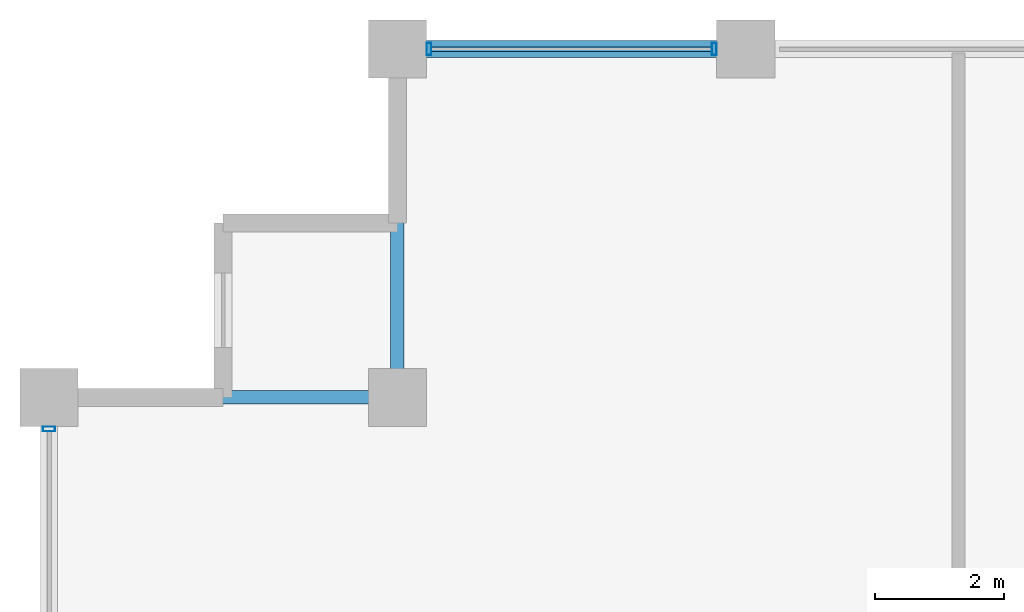
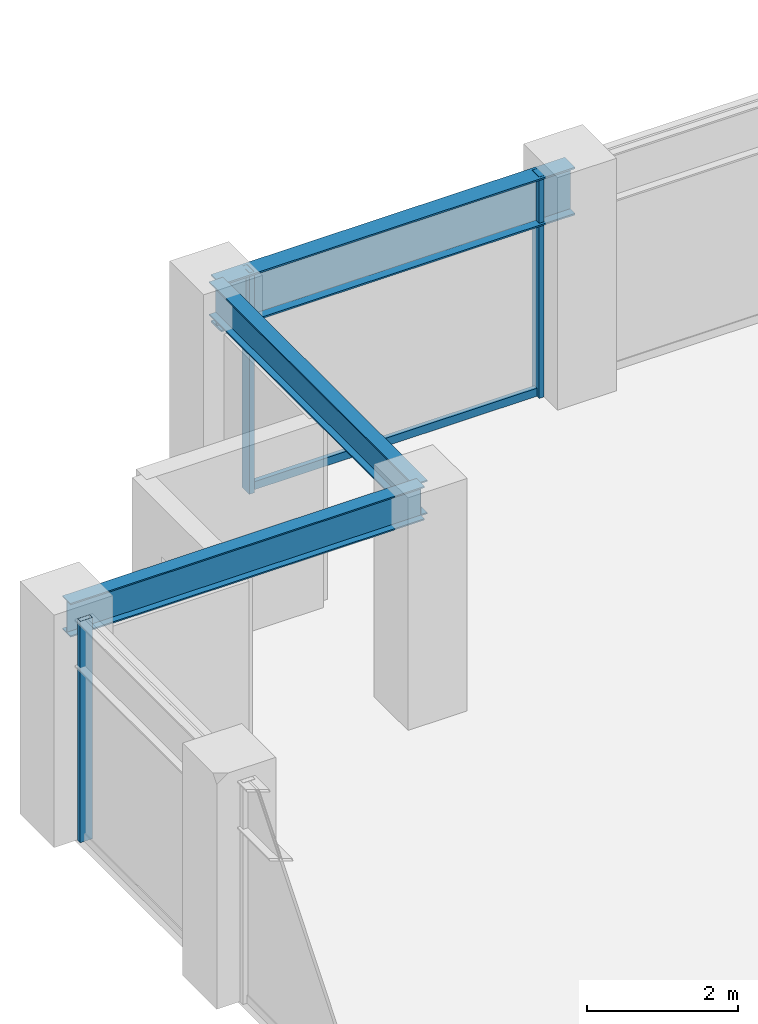
# One storey, part 18 of 32: 4 members, 3 beams, 2 elements without a shape of their own.
"""IFC4 building model written with IfcOpenShell, lengths in metres."""

from ifc_helpers import new_model, si_unit, direction, frame, origin, origin_2d, place, context, subcontext, project, spatial, hollow_rectangle, i_section, extrude, material, layer, layer_set, material_profile, profile_set, type_object, element, aggregate, save


model = new_model("IFC4")

# Units and contexts
model_context = context("Model", 3, precision=1e-05, world=origin(), true_north=direction((0.0, 1.0)))
body_context = subcontext(model_context, "Body", "Model", "MODEL_VIEW")
ifc_project = project(units=[si_unit("LENGTHUNIT", "METRE"), si_unit("AREAUNIT", "SQUARE_METRE"), si_unit("VOLUMEUNIT", "CUBIC_METRE"), si_unit("PLANEANGLEUNIT", "RADIAN"), si_unit("MASSUNIT", "GRAM", prefix="KILO")], contexts=[model_context])

# Site, building, storey
site_placement = place(None, origin())
site = spatial("IfcSite", under=ifc_project, at=site_placement, CompositionType="ELEMENT")
building_placement = place(site_placement, origin())
building = spatial("IfcBuilding", under=site, at=building_placement, Name="Surkhivell Harbour Commons", CompositionType="ELEMENT")
storey_placement = place(building_placement, frame((0.0, 0.0, 197.25)))
storey = spatial("IfcBuildingStorey", under=building, at=storey_placement, Name="L51", CompositionType="ELEMENT", Elevation=197.25)

# Beams
ifc_material_1 = material(Name="Steel S355", Category="steel")
ifc_material_profile_1 = material_profile(ifc_material_1, i_section(OverallWidth=0.2119140625, OverallDepth=0.5439453125, WebThickness=0.0126953125, FlangeThickness=0.021240234375, at=origin_2d()), Name="UB533x210x122")
ifc_profile_set_1 = profile_set([ifc_material_profile_1], Name="Steel S355")
beam_type_1 = type_object("IfcBeamType", Name="BM-GRD-533A", PredefinedType="BEAM", material=ifc_profile_set_1)
for number, where, z_axis, x_axis, name in (
    (1, (-27.0, 20.5, 3.298095703125), (1.0, 0.0, 0.0), (0.0, 1.0, 0.0), "L51 Floor Girder (-27.0,20.5)"),
    (2, (-21.60009765625, 20.5, 3.298095703125), (0.0, 1.0, 0.0), (-1.0, 0.0, 0.0), "L51 Floor Girder (-21.6,20.5)"),
):
    element("IfcBeam", number, at=place(storey_placement, frame(where, z_axis=z_axis, x_axis=x_axis)), inside=storey, type_object=beam_type_1, Name=name, PredefinedType="BEAM", context=body_context, shape_type="SweptSolid", body=[
        extrude(i_section(OverallWidth=0.2119140625, OverallDepth=0.5439453125, WebThickness=0.0126953125, FlangeThickness=0.021240234375, at=origin_2d()), origin(), (0.0, 0.0, 1.0), 5.39990234375),
    ])
ifc_material_profile_2 = material_profile(ifc_material_1, i_section(OverallWidth=0.26806640625, OverallDepth=0.77001953125, WebThickness=0.015625, FlangeThickness=0.025390625, at=origin_2d()), Name="UB762x267x197")
ifc_profile_set_2 = profile_set([ifc_material_profile_2], Name="Steel S355")
beam_type_2 = type_object("IfcBeamType", Name="BM-SPN-762", PredefinedType="SPANDREL", material=ifc_profile_set_2)
beam_placement = place(storey_placement, frame((-21.60009765625, 25.89990234375, 3.18505859375), z_axis=(1.0, 0.0, 0.0), x_axis=(0.0, 1.0, 0.0)))
element("IfcBeam", 3, at=beam_placement, inside=storey, type_object=beam_type_2, Name="L51 Tube Spandrel (-21.6,25.9)", PredefinedType="SPANDREL", context=body_context, shape_type="SweptSolid", body=[
    extrude(i_section(OverallWidth=0.26806640625, OverallDepth=0.77001953125, WebThickness=0.015625, FlangeThickness=0.025390625, at=origin_2d()), origin(), (0.0, 0.0, 1.0), 5.400146484375),
])

# Curtain wall, members
ifc_material_2 = material(Name="Anodised pale-metal aluminium and insulated glazing", Category="aluminium")
ifc_layer = layer(ifc_material_2, 0.18994140625)
ifc_layer_set = layer_set([ifc_layer], Name="Anodised pale-metal aluminium and insulated glazing")
curtain_wall_type = type_object("IfcCurtainWallType", Name="CW-SYS-Z3", PredefinedType="NOTDEFINED", material=ifc_layer_set)
curtain_wall_1_placement = place(storey_placement, origin())
curtain_wall_1 = element("IfcCurtainWall", 4, at=curtain_wall_1_placement, inside=storey, type_object=curtain_wall_type, Name="L51 Curtain Wall CW-L51-E07S2", PredefinedType="NOTDEFINED")
ifc_material_3 = material(Name="Anodised pale-metal aluminium alloy 6063-T6", Category="aluminium")
ifc_material_profile_3 = material_profile(ifc_material_3, hollow_rectangle(XDim=0.074951171875, YDim=0.18994140625, WallThickness=0.00390625, at=origin_2d()), Name="ALU-MULL-75x190")
ifc_profile_set_3 = profile_set([ifc_material_profile_3], Name="Anodised pale-metal aluminium alloy 6063-T6")
member_type_1 = type_object("IfcMemberType", Name="CWM-190", PredefinedType="MULLION", material=ifc_profile_set_3)
member_1_placement = place(storey_placement, frame((-16.689453125, 25.89990234375, 0.0), z_axis=(0.0, 0.0, 1.0), x_axis=(-1.0, 0.0, 0.0)))
member_1 = element("IfcMember", 5, at=member_1_placement, type_object=member_type_1, Name="CW-Z3 mullion 3", PredefinedType="MULLION", context=body_context, shape_type="SweptSolid", body=[
    extrude(hollow_rectangle(XDim=0.074951171875, YDim=0.18994140625, WallThickness=0.00390625, at=origin_2d()), origin(), (0.0, 0.0, 1.0), 3.570068359375),
])
member_2_placement = place(storey_placement, frame((-21.110595703125, 25.89990234375, 0.0), z_axis=(0.0, 0.0, 1.0), x_axis=(-1.0, 0.0, 0.0)))
member_2 = element("IfcMember", 6, at=member_2_placement, type_object=member_type_1, Name="CW-Z3 mullion 4", PredefinedType="MULLION", context=body_context, shape_type="SweptSolid", body=[
    extrude(hollow_rectangle(XDim=0.074951171875, YDim=0.18994140625, WallThickness=0.00390625, at=origin_2d()), origin(), (0.0, 0.0, 1.0), 3.570068359375),
])

# Curtain wall, member
curtain_wall_2_placement = place(storey_placement, origin())
curtain_wall_2 = element("IfcCurtainWall", 7, at=curtain_wall_2_placement, inside=storey, type_object=curtain_wall_type, Name="L51 Curtain Wall CW-L51-E12S1", PredefinedType="NOTDEFINED")
member_3_placement = place(storey_placement, frame((-27.0, 20.010498046875, 0.0), z_axis=(0.0, 0.0, 1.0), x_axis=(0.0, -1.0, 0.0)))
member_3 = element("IfcMember", 8, at=member_3_placement, type_object=member_type_1, Name="CW-Z3 mullion 1", PredefinedType="MULLION", context=body_context, shape_type="SweptSolid", body=[
    extrude(hollow_rectangle(XDim=0.074951171875, YDim=0.18994140625, WallThickness=0.00390625, at=origin_2d()), origin(), (0.0, 0.0, 1.0), 3.570068359375),
])
aggregate(curtain_wall_2, [member_3])

# Member
ifc_material_4 = material(Name="Champagne anodised aluminium alloy 6063-T6", Category="aluminium")
ifc_material_profile_4 = material_profile(ifc_material_4, hollow_rectangle(XDim=0.070068359375, YDim=0.1298828125, WallThickness=0.00341796875, at=origin_2d()), Name="ALU-TRAN-70x130")
ifc_profile_set_4 = profile_set([ifc_material_profile_4], Name="Champagne anodised aluminium alloy 6063-T6")
member_type_2 = type_object("IfcMemberType", Name="CWT-130", PredefinedType="USERDEFINED", material=ifc_profile_set_4)
member_4_placement = place(storey_placement, frame((-16.72705078125, 25.89990234375, 0.06494140625), z_axis=(-1.0, 0.0, 0.0), x_axis=(0.0, -1.0, 0.0)))
member_4 = element("IfcMember", 9, at=member_4_placement, type_object=member_type_2, Name="CW-Z3 transom 3.1", ObjectType="TRANSOM", PredefinedType="USERDEFINED", context=body_context, shape_type="SweptSolid", body=[
    extrude(hollow_rectangle(XDim=0.070068359375, YDim=0.1298828125, WallThickness=0.00341796875, at=origin_2d()), origin(), (0.0, 0.0, 1.0), 4.345947265625),
])

aggregate(curtain_wall_1, [member_1, member_2, member_4])

save(model, "model.ifc")
